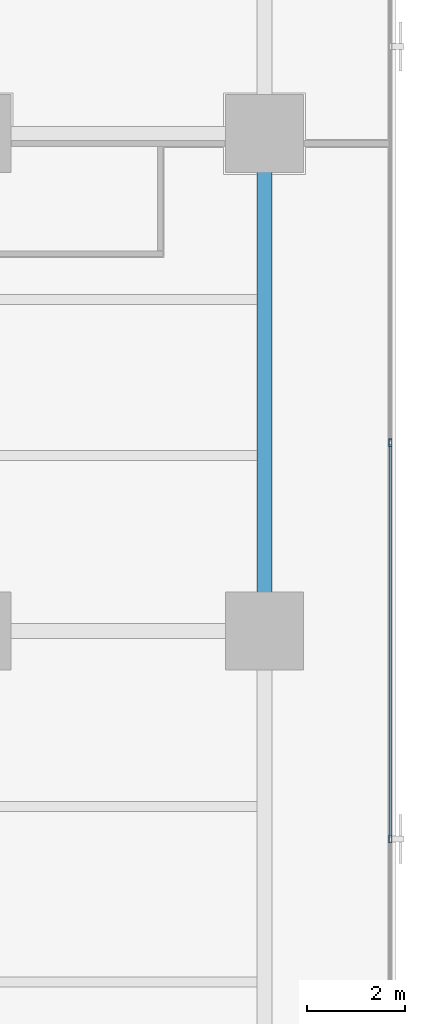
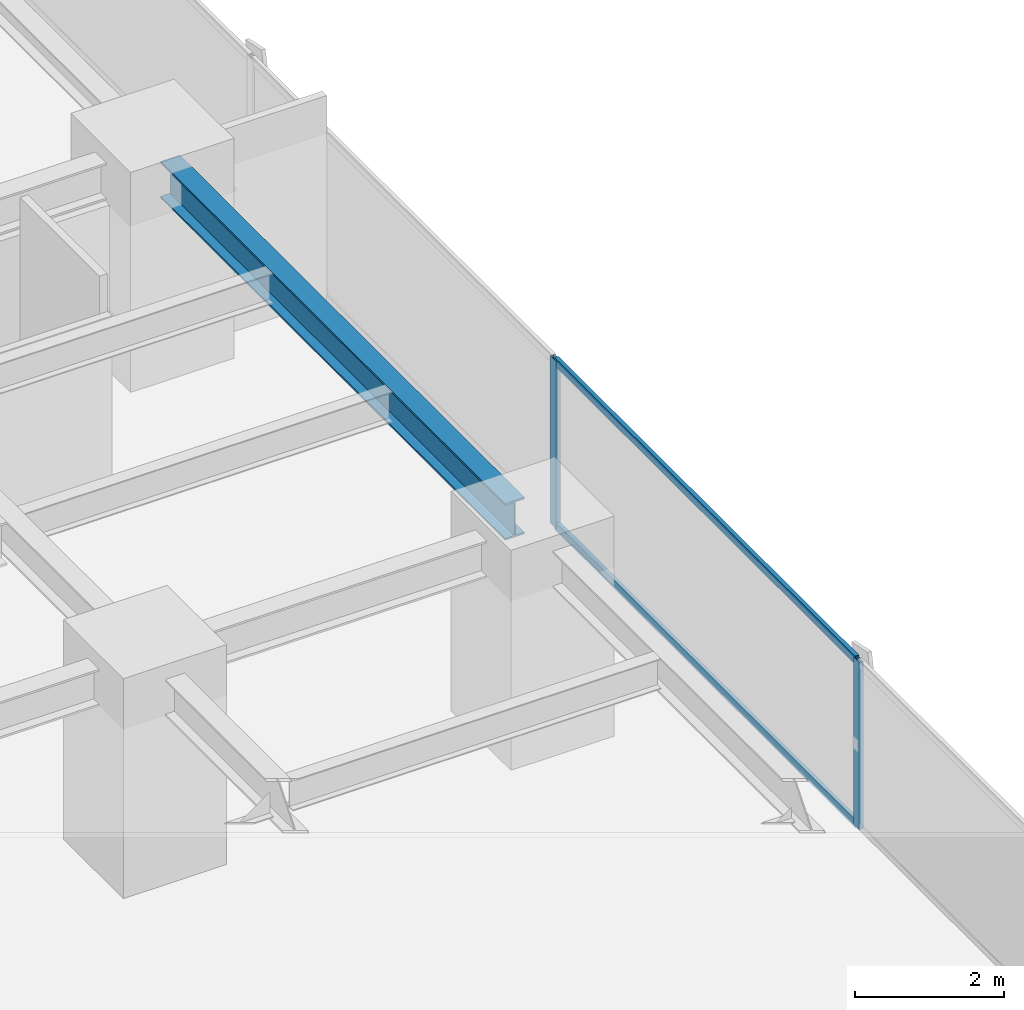
# One storey, part 16 of 37: 4 members, 1 beam, 1 element without a shape of its own.
"""IFC4 building model written with IfcOpenShell, lengths in metres."""

from ifc_helpers import new_model, si_unit, direction, frame, origin, origin_2d, place, context, subcontext, project, spatial, hollow_rectangle, i_section, extrude, source, transform, mapped, material, layer, layer_set, material_profile, profile_set, type_object, element, aggregate, save


model = new_model("IFC4")

# Units and contexts
model_context = context("Model", 3, precision=1e-05, world=origin(), true_north=direction((0.0, 1.0)))
body_context = subcontext(model_context, "Body", "Model", "MODEL_VIEW")
ifc_project = project(units=[si_unit("LENGTHUNIT", "METRE"), si_unit("AREAUNIT", "SQUARE_METRE"), si_unit("VOLUMEUNIT", "CUBIC_METRE"), si_unit("PLANEANGLEUNIT", "RADIAN"), si_unit("MASSUNIT", "GRAM", prefix="KILO")], contexts=[model_context])

# Site, building, storey
site_placement = place(None, origin())
site = spatial("IfcSite", under=ifc_project, at=site_placement, CompositionType="ELEMENT")
building_placement = place(site_placement, origin())
building = spatial("IfcBuilding", under=site, at=building_placement, Name="Sumidabori Civic Tower", CompositionType="ELEMENT")
storey_placement = place(building_placement, frame((0.0, 0.0, 88.39990234375)))
storey = spatial("IfcBuildingStorey", under=building, at=storey_placement, Name="L22", CompositionType="ELEMENT", Elevation=88.39990234375)

# Beam
ifc_material_1 = material(Name="Steel SN490", Category="steel")
ifc_material_profile_1 = material_profile(ifc_material_1, i_section(OverallWidth=0.300048828125, OverallDepth=0.60009765625, WebThickness=0.015380859375, FlangeThickness=0.030029296875, at=origin_2d()), Name="HE 600 B")
ifc_profile_set_1 = profile_set([ifc_material_profile_1], Name="Steel SN490")
beam_type = type_object("IfcBeamType", Name="BM-GIRD-600", PredefinedType="BEAM", material=ifc_profile_set_1)
shared_shape_1 = source(origin(), body_context, "Body", "SweptSolid", [
    extrude(i_section(OverallWidth=0.300048828125, OverallDepth=0.60009765625, WebThickness=0.015380859375, FlangeThickness=0.030029296875, at=origin_2d()), origin(), (0.0, 0.0, 1.0), 9.239990234375),
])
beam_placement = place(storey_placement, frame((22.800048828125, 0.47998046875, 3.06005859375), z_axis=(0.0, 1.0, 0.0), x_axis=(-1.0, 0.0, 0.0)))
element("IfcBeam", 1, at=beam_placement, inside=storey, type_object=beam_type, Name="Primary Girder L22 GY-41", PredefinedType="BEAM", context=body_context, shape_type="MappedRepresentation", body=[
    mapped(shared_shape_1, transform((0.0, 0.0, 0.0), x_axis=(1.0, 0.0, 0.0), y_axis=(0.0, 1.0, 0.0), z_axis=(0.0, 0.0, 1.0), scale=1.0)),
])

# Curtain wall, members
ifc_material_2 = material(Name="Anodised Bronze Aluminium AW-6063-T6", Category="aluminium")
ifc_layer = layer(ifc_material_2, 0.179931640625, Name="Anodised Bronze Aluminium AW-6063-T6")
ifc_layer_set = layer_set([ifc_layer], Name="Anodised Bronze Aluminium AW-6063-T6")
curtain_wall_type = type_object("IfcCurtainWallType", Name="CW-SYS-3", PredefinedType="NOTDEFINED", material=ifc_layer_set)
curtain_wall_placement = place(storey_placement, origin())
curtain_wall = element("IfcCurtainWall", 2, at=curtain_wall_placement, inside=storey, type_object=curtain_wall_type, Name="Curtain Wall CW:L22:R04", PredefinedType="NOTDEFINED")
ifc_material_profile_2 = material_profile(ifc_material_2, hollow_rectangle(XDim=0.06494140625, YDim=0.159912109375, WallThickness=0.0048828125, at=origin_2d()), Name="ALU MULLION 160x65")
ifc_profile_set_2 = profile_set([ifc_material_profile_2], Name="Anodised Bronze Aluminium AW-6063-T6")
member_type_1 = type_object("IfcMemberType", Name="CW-MUL-160", PredefinedType="MULLION", material=ifc_profile_set_2)
shared_shape_2 = source(origin(), body_context, "Body", "SweptSolid", [
    extrude(hollow_rectangle(XDim=0.06494140625, YDim=0.159912109375, WallThickness=0.0048828125, at=origin_2d()), origin(), (0.0, 0.0, 1.0), 2.739990234375),
])
member_1_placement = place(storey_placement, frame((25.3798828125, -4.263916015625, 0.0), z_axis=(0.0, 0.0, 1.0), x_axis=(-1.0, 0.0, 0.0)))
member_1 = element("IfcMember", 3, at=member_1_placement, type_object=member_type_1, Name="CW-3 mullion 3", PredefinedType="MULLION", context=body_context, shape_type="MappedRepresentation", body=[
    mapped(shared_shape_2, transform((0.0, 0.0, 0.0), x_axis=(1.0, 0.0, 0.0), y_axis=(0.0, 1.0, 0.0), z_axis=(0.0, 0.0, 1.0), scale=1.0)),
])
member_2_placement = place(storey_placement, frame((25.3798828125, 3.864013671875, 0.0), z_axis=(0.0, 0.0, 1.0), x_axis=(-1.0, 0.0, 0.0)))
member_2 = element("IfcMember", 4, at=member_2_placement, type_object=member_type_1, Name="CW-3 mullion 4", PredefinedType="MULLION", context=body_context, shape_type="MappedRepresentation", body=[
    mapped(shared_shape_2, transform((0.0, 0.0, 0.0), x_axis=(1.0, 0.0, 0.0), y_axis=(0.0, 1.0, 0.0), z_axis=(0.0, 0.0, 1.0), scale=1.0)),
])
ifc_material_profile_3 = material_profile(ifc_material_2, hollow_rectangle(XDim=0.06005859375, YDim=0.1298828125, WallThickness=0.0048828125, at=origin_2d()), Name="ALU TRANSOM 130x60")
ifc_profile_set_3 = profile_set([ifc_material_profile_3], Name="Anodised Bronze Aluminium AW-6063-T6")
member_type_2 = type_object("IfcMemberType", Name="CW-TRN-130", PredefinedType="USERDEFINED", material=ifc_profile_set_3)
shared_shape_3 = source(origin(), body_context, "Body", "SweptSolid", [
    extrude(hollow_rectangle(XDim=0.06005859375, YDim=0.1298828125, WallThickness=0.0048828125, at=origin_2d()), origin(), (0.0, 0.0, 1.0), 8.06298828125),
])
member_3_placement = place(storey_placement, frame((25.3798828125, -4.2314453125, 0.030029296875), z_axis=(0.0, 1.0, 0.0), x_axis=(-1.0, 0.0, 0.0)))
member_3 = element("IfcMember", 5, at=member_3_placement, type_object=member_type_2, Name="CW-3 transom 3.1", ObjectType="TRANSOM", PredefinedType="USERDEFINED", context=body_context, shape_type="MappedRepresentation", body=[
    mapped(shared_shape_3, transform((0.0, 0.0, 0.0), x_axis=(1.0, 0.0, 0.0), y_axis=(0.0, 1.0, 0.0), z_axis=(0.0, 0.0, 1.0), scale=1.0)),
])
member_4_placement = place(storey_placement, frame((25.3798828125, -4.2314453125, 2.710205078125), z_axis=(0.0, 1.0, 0.0), x_axis=(-1.0, 0.0, 0.0)))
member_4 = element("IfcMember", 6, at=member_4_placement, type_object=member_type_2, Name="CW-3 transom 3.2", ObjectType="TRANSOM", PredefinedType="USERDEFINED", context=body_context, shape_type="MappedRepresentation", body=[
    mapped(shared_shape_3, transform((0.0, 0.0, 0.0), x_axis=(1.0, 0.0, 0.0), y_axis=(0.0, 1.0, 0.0), z_axis=(0.0, 0.0, 1.0), scale=1.0)),
])
aggregate(curtain_wall, [member_1, member_2, member_3, member_4])

save(model, "model.ifc")
